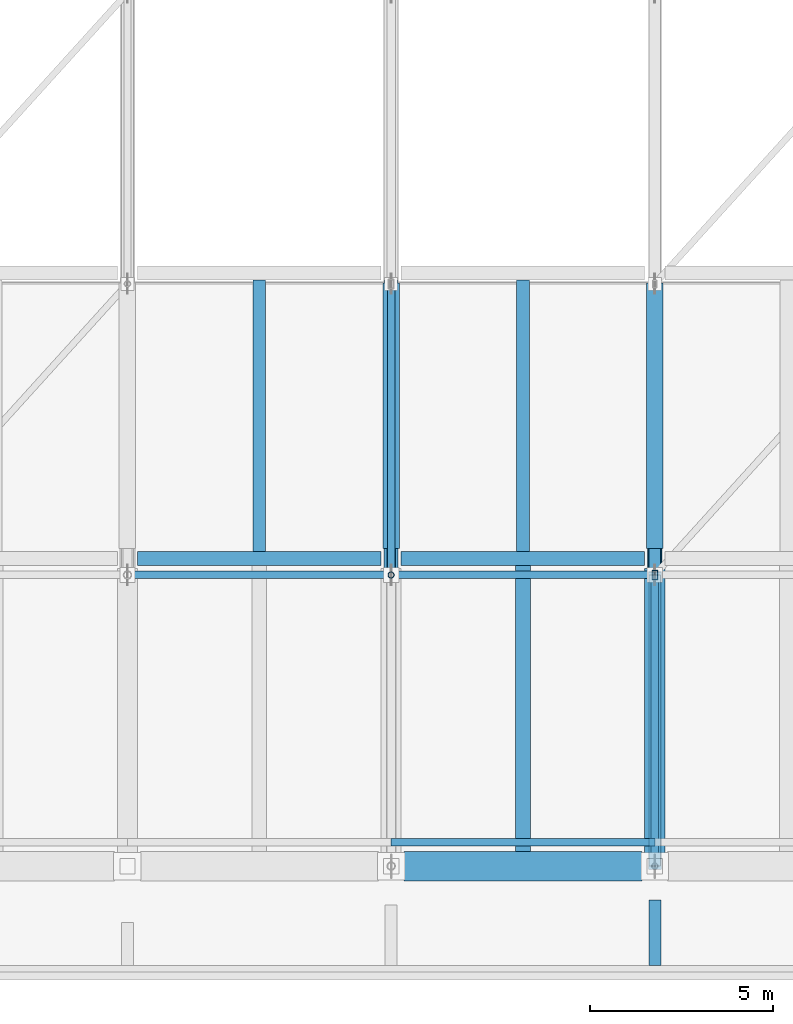
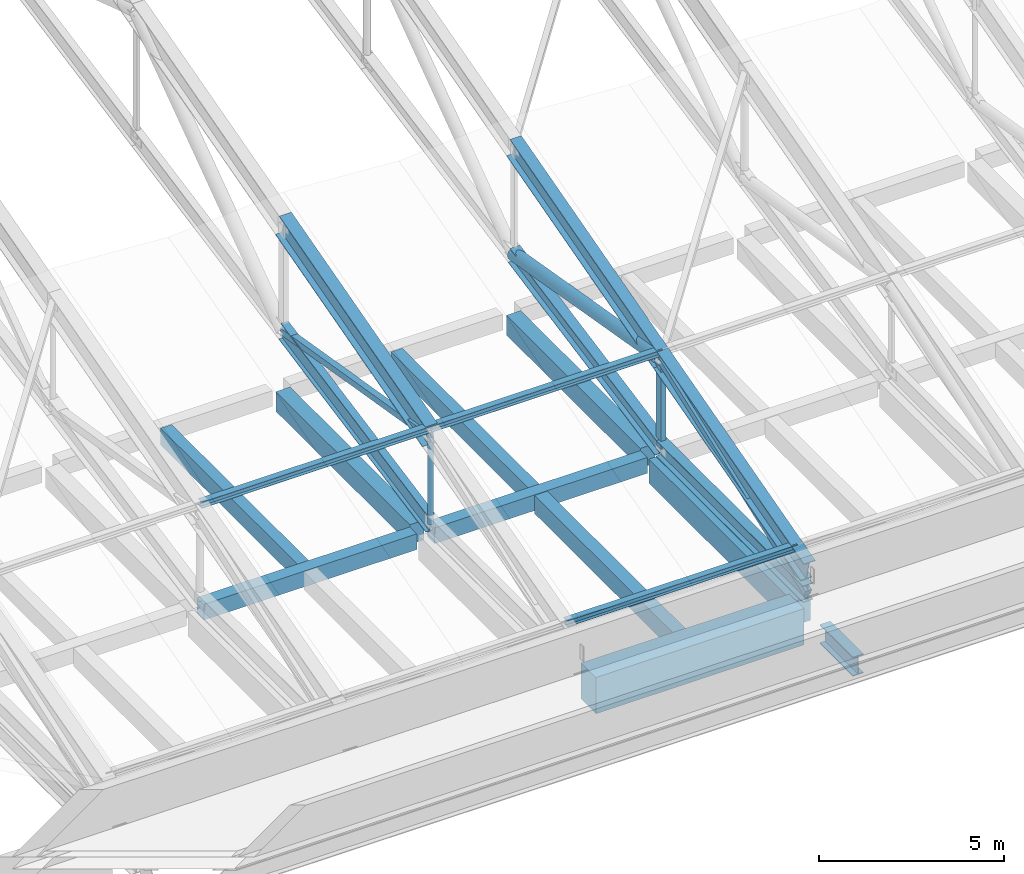
# One storey, part 3 of 53: 16 beams, 8 members.
"""IFC4 building model written with IfcOpenShell, lengths in metres."""

from ifc_helpers import new_model, si_unit, direction, frame, origin, origin_2d, place, context, subcontext, project, spatial, rectangle, hollow_rectangle, hollow_circle, i_section, extrude, material, material_profile, profile_set, type_object, element, save


model = new_model("IFC4")

# Units and contexts
model_context = context("Model", 3, precision=1e-05, world=origin(), true_north=direction((0.0, 1.0)))
body_context = subcontext(model_context, "Body", "Model", "MODEL_VIEW")
ifc_project = project(units=[si_unit("LENGTHUNIT", "METRE"), si_unit("AREAUNIT", "SQUARE_METRE"), si_unit("VOLUMEUNIT", "CUBIC_METRE"), si_unit("PLANEANGLEUNIT", "RADIAN"), si_unit("MASSUNIT", "GRAM", prefix="KILO")], contexts=[model_context])

# Site, building, storey
site_placement = place(None, origin())
site = spatial("IfcSite", under=ifc_project, at=site_placement, CompositionType="ELEMENT")
building_placement = place(site_placement, origin())
building = spatial("IfcBuilding", under=site, at=building_placement, Name="Pellamere Symphony Hall", CompositionType="ELEMENT")
storey_placement = place(building_placement, frame((0.0, 0.0, 24.0)))
storey = spatial("IfcBuildingStorey", under=building, at=storey_placement, Name="L05", CompositionType="ELEMENT", Elevation=24.0)

# Beams
ifc_material_1 = material(Name="Concrete 50 MPa", Category="concrete")
ifc_material_profile_1 = material_profile(ifc_material_1, rectangle(XDim=0.800048828125, YDim=1.199951171875, at=origin_2d()), Name="RC 800x1200")
ifc_profile_set_1 = profile_set([ifc_material_profile_1], Name="Concrete 50 MPa")
beam_type_1 = type_object("IfcBeamType", Name="RC CB-01 800x1200", PredefinedType="BEAM", material=ifc_profile_set_1)
beam_1_placement = place(storey_placement, frame((73.550048828125, 30.0, -0.60009765625), z_axis=(1.0, 0.0, 0.0), x_axis=(0.0, 1.0, 0.0)))
element("IfcBeam", 1, at=beam_1_placement, inside=storey, type_object=beam_type_1, Name="Girder CB-01-X1998 (L05)", PredefinedType="BEAM", context=body_context, shape_type="SweptSolid", body=[
    extrude(rectangle(XDim=0.800048828125, YDim=1.199951171875, at=origin_2d()), origin(), (0.0, 0.0, 1.0), 6.5),
])
ifc_material_2 = material(Name="Concrete 40 MPa", Category="concrete")
ifc_material_profile_2 = material_profile(ifc_material_2, rectangle(XDim=0.550048828125, YDim=0.800048828125, at=origin_2d()), Name="RC 550x800")
ifc_profile_set_2 = profile_set([ifc_material_profile_2], Name="Concrete 40 MPa")
beam_type_2 = type_object("IfcBeamType", Name="RC CB-05 550x800", PredefinedType="BEAM", material=ifc_profile_set_2)
beam_2_placement = place(storey_placement, frame((80.39990234375, 30.35009765625, -0.659912109375), z_axis=(0.0, 1.0, 0.0), x_axis=(-1.0, 0.0, 0.0)))
element("IfcBeam", 2, at=beam_2_placement, inside=storey, type_object=beam_type_2, Name="Girder CB-05-Y2090 (L05)", PredefinedType="BEAM", context=body_context, shape_type="SweptSolid", body=[
    extrude(rectangle(XDim=0.550048828125, YDim=0.800048828125, at=origin_2d()), origin(), (0.0, 0.0, 1.0), 7.77490234375),
])
ifc_material_profile_3 = material_profile(ifc_material_2, rectangle(XDim=0.449951171875, YDim=0.64990234375, at=origin_2d()), Name="RC 450x650")
ifc_profile_set_3 = profile_set([ifc_material_profile_3], Name="Concrete 40 MPa")
beam_type_3 = type_object("IfcBeamType", Name="RC CB-08 450x650", PredefinedType="BEAM", material=ifc_profile_set_3)
for number, where, z_axis, x_axis, name in (
    (3, (73.199951171875, 38.675048828125, -0.5849609375), (0.0, 1.0, 0.0), (-1.0, 0.0, 0.0), "Girder CB-08-Y2089 (L05)"),
    (4, (80.39990234375, 38.675048828125, -0.5849609375), (0.0, 1.0, 0.0), (-1.0, 0.0, 0.0), "Girder CB-08-Y2091 (L05)"),
):
    element("IfcBeam", number, at=place(storey_placement, frame(where, z_axis=z_axis, x_axis=x_axis)), inside=storey, type_object=beam_type_3, Name=name, PredefinedType="BEAM", context=body_context, shape_type="SweptSolid", body=[
        extrude(rectangle(XDim=0.449951171875, YDim=0.64990234375, at=origin_2d()), origin(), (0.0, 0.0, 1.0), 7.25),
    ])
ifc_material_profile_4 = material_profile(ifc_material_2, rectangle(XDim=0.39990234375, YDim=0.60009765625, at=origin_2d()), Name="RC 400x600")
ifc_profile_set_4 = profile_set([ifc_material_profile_4], Name="Concrete 40 MPa")
beam_type_4 = type_object("IfcBeamType", Name="RC CB-09 400x600", PredefinedType="BEAM", material=ifc_profile_set_4)
beam_3_placement = place(storey_placement, frame((76.800048828125, 30.39990234375, -0.574951171875), z_axis=(0.0, 1.0, 0.0), x_axis=(-1.0, 0.0, 0.0)))
element("IfcBeam", 5, at=beam_3_placement, inside=storey, type_object=beam_type_4, Name="Secondary Floor Beam CB-09-M0904 (L05)", PredefinedType="BEAM", context=body_context, shape_type="SweptSolid", body=[
    extrude(rectangle(XDim=0.39990234375, YDim=0.60009765625, at=origin_2d()), origin(), (0.0, 0.0, 1.0), 7.81005859375),
])
ifc_material_3 = material(Name="Concrete 35 MPa", Category="concrete")
ifc_material_profile_5 = material_profile(ifc_material_3, rectangle(XDim=0.35009765625, YDim=0.550048828125, at=origin_2d()), Name="RC 350x550")
ifc_profile_set_5 = profile_set([ifc_material_profile_5], Name="Concrete 35 MPa")
beam_type_5 = type_object("IfcBeamType", Name="RC CB-10 350x550", PredefinedType="BEAM", material=ifc_profile_set_5)
for number, where, z_axis, x_axis, name in (
    (6, (69.60009765625, 38.590087890625, -0.550048828125), (0.0, 1.0, 0.0), (-1.0, 0.0, 0.0), "Secondary Floor Beam CB-10-M0805 (L05)"),
    (7, (76.800048828125, 38.590087890625, -0.550048828125), (0.0, 1.0, 0.0), (-1.0, 0.0, 0.0), "Secondary Floor Beam CB-10-M0905 (L05)"),
):
    element("IfcBeam", number, at=place(storey_placement, frame(where, z_axis=z_axis, x_axis=x_axis)), inside=storey, type_object=beam_type_5, Name=name, PredefinedType="BEAM", context=body_context, shape_type="SweptSolid", body=[
        extrude(rectangle(XDim=0.35009765625, YDim=0.550048828125, at=origin_2d()), origin(), (0.0, 0.0, 1.0), 7.419921875),
    ])
ifc_material_profile_6 = material_profile(ifc_material_2, rectangle(XDim=0.3798828125, YDim=0.52001953125, at=origin_2d()), Name="RC 380x520")
ifc_profile_set_6 = profile_set([ifc_material_profile_6], Name="Concrete 40 MPa")
beam_type_6 = type_object("IfcBeamType", Name="RC CB-21 380x520", PredefinedType="BEAM", material=ifc_profile_set_6)
beam_4_placement = place(storey_placement, frame((66.27490234375, 38.39990234375, -0.52001953125), z_axis=(1.0, 0.0, 0.0), x_axis=(0.0, 1.0, 0.0)))
element("IfcBeam", 8, at=beam_4_placement, inside=storey, type_object=beam_type_6, Name="Girder CB-21-X2012 (L05)", PredefinedType="BEAM", context=body_context, shape_type="SweptSolid", body=[
    extrude(rectangle(XDim=0.3798828125, YDim=0.52001953125, at=origin_2d()), origin(), (0.0, 0.0, 1.0), 6.650146484375),
])
beam_5_placement = place(storey_placement, frame((73.47509765625, 38.39990234375, -0.52001953125), z_axis=(1.0, 0.0, 0.0), x_axis=(0.0, 1.0, 0.0)))
element("IfcBeam", 9, at=beam_5_placement, inside=storey, type_object=beam_type_6, Name="Girder CB-21-X2013 (L05)", PredefinedType="BEAM", context=body_context, shape_type="SweptSolid", body=[
    extrude(rectangle(XDim=0.3798828125, YDim=0.52001953125, at=origin_2d()), origin(), (0.0, 0.0, 1.0), 6.64990234375),
])
ifc_material_4 = material(Name="Steel CSA G40.21 350W", Category="steel")
ifc_material_profile_7 = material_profile(ifc_material_4, i_section(OverallWidth=0.381103515625, OverallDepth=0.77294921875, WebThickness=0.0166015625, FlangeThickness=0.027587890625, at=origin_2d()), Name="W760X257")
ifc_profile_set_7 = profile_set([ifc_material_profile_7], Name="Steel CSA G40.21 350W")
beam_type_7 = type_object("IfcBeamType", Name="Steel Beam SB-05 W760X257", PredefinedType="BEAM", material=ifc_profile_set_7)
beam_6_placement = place(storey_placement, frame((73.199951171875, 37.949951171875, 3.03857421875), z_axis=(0.0, 0.964090435702, 0.265574154969), x_axis=(-1.0, 0.0, 0.0)))
element("IfcBeam", 10, at=beam_6_placement, inside=storey, type_object=beam_type_7, Name="Roof Truss TR-03 Top Chord 2", PredefinedType="BEAM", context=body_context, shape_type="SweptSolid", body=[
    extrude(i_section(OverallWidth=0.381103515625, OverallDepth=0.77294921875, WebThickness=0.0166015625, FlangeThickness=0.027587890625, at=origin_2d()), origin(), (0.0, 0.0, 1.0), 8.24609375),
])
ifc_material_profile_8 = material_profile(ifc_material_4, i_section(OverallWidth=0.35498046875, OverallDepth=0.695068359375, WebThickness=0.015380859375, FlangeThickness=0.02490234375, at=origin_2d()), Name="W690X217")
ifc_profile_set_8 = profile_set([ifc_material_profile_8], Name="Steel CSA G40.21 350W")
beam_type_8 = type_object("IfcBeamType", Name="Steel Beam SB-07 W690X217", PredefinedType="BEAM", material=ifc_profile_set_8)
for number, where, z_axis, x_axis, name in (
    (11, (80.39990234375, 30.0, 0.887451171875), (0.0, 0.964090435702, 0.265574154969), (-1.0, 0.0, 0.0), "Roof Truss TR-04 Top Chord 1"),
    (12, (80.39990234375, 37.949951171875, 3.077392578125), (0.0, 0.964082854885, 0.265601673408), (-1.0, 0.0, 0.0), "Roof Truss TR-04 Top Chord 2"),
):
    element("IfcBeam", number, at=place(storey_placement, frame(where, z_axis=z_axis, x_axis=x_axis)), inside=storey, type_object=beam_type_8, Name=name, PredefinedType="BEAM", context=body_context, shape_type="SweptSolid", body=[
        extrude(i_section(OverallWidth=0.35498046875, OverallDepth=0.695068359375, WebThickness=0.015380859375, FlangeThickness=0.02490234375, at=origin_2d()), origin(), (0.0, 0.0, 1.0), 8.24609375),
    ])
ifc_material_profile_9 = material_profile(ifc_material_4, i_section(OverallWidth=0.3291015625, OverallDepth=0.635009765625, WebThickness=0.017822265625, FlangeThickness=0.031005859375, at=origin_2d()), Name="W610X241")
ifc_profile_set_9 = profile_set([ifc_material_profile_9], Name="Steel CSA G40.21 350W")
beam_type_9 = type_object("IfcBeamType", Name="Steel Beam SB-09 W610X241", PredefinedType="BEAM", material=ifc_profile_set_9)
beam_7_placement = place(storey_placement, frame((80.39990234375, 27.284912109375, -0.5849609375), z_axis=(0.0, 1.0, 0.0), x_axis=(-1.0, 0.0, 0.0)))
element("IfcBeam", 13, at=beam_7_placement, inside=storey, type_object=beam_type_9, Name="Winter-Garden Canopy Outrigger 04", PredefinedType="BEAM", context=body_context, shape_type="SweptSolid", body=[
    extrude(i_section(OverallWidth=0.3291015625, OverallDepth=0.635009765625, WebThickness=0.017822265625, FlangeThickness=0.031005859375, at=origin_2d()), origin(), (0.0, 0.0, 1.0), 1.7880859375),
])
ifc_material_profile_10 = material_profile(ifc_material_4, i_section(OverallWidth=0.22998046875, OverallDepth=0.616943359375, WebThickness=0.01318359375, FlangeThickness=0.022216796875, at=origin_2d()), Name="W610X140")
ifc_profile_set_10 = profile_set([ifc_material_profile_10], Name="Steel CSA G40.21 350W")
beam_type_10 = type_object("IfcBeamType", Name="Steel Beam SB-11 W610X140", PredefinedType="BEAM", material=ifc_profile_set_10)
beam_8_placement = place(storey_placement, frame((73.199951171875, 37.949951171875, 0.159912109375), z_axis=(0.0, 0.981591064498, 0.19099471746), x_axis=(-1.0, 0.0, 0.0)))
element("IfcBeam", 14, at=beam_8_placement, inside=storey, type_object=beam_type_10, Name="Roof Truss TR-03 Bottom Chord 2", PredefinedType="BEAM", context=body_context, shape_type="SweptSolid", body=[
    extrude(i_section(OverallWidth=0.22998046875, OverallDepth=0.616943359375, WebThickness=0.01318359375, FlangeThickness=0.022216796875, at=origin_2d()), origin(), (0.0, 0.0, 1.0), 8.09912109375),
])
ifc_material_profile_11 = material_profile(ifc_material_4, i_section(OverallWidth=0.31201171875, OverallDepth=0.54296875, WebThickness=0.0126953125, FlangeThickness=0.020263671875, at=origin_2d()), Name="W530X150")
ifc_profile_set_11 = profile_set([ifc_material_profile_11], Name="Steel CSA G40.21 350W")
beam_type_11 = type_object("IfcBeamType", Name="Steel Beam SB-13 W530X150", PredefinedType="BEAM", material=ifc_profile_set_11)
beam_9_placement = place(storey_placement, frame((80.39990234375, 30.0, 0.159912109375), z_axis=(0.0, 1.0, 0.0), x_axis=(-1.0, 0.0, 0.0)))
element("IfcBeam", 15, at=beam_9_placement, inside=storey, type_object=beam_type_11, Name="Roof Truss TR-04 Bottom Chord 1", PredefinedType="BEAM", context=body_context, shape_type="SweptSolid", body=[
    extrude(i_section(OverallWidth=0.31201171875, OverallDepth=0.54296875, WebThickness=0.0126953125, FlangeThickness=0.020263671875, at=origin_2d()), origin(), (0.0, 0.0, 1.0), 7.949951171875),
])
beam_10_placement = place(storey_placement, frame((80.39990234375, 37.949951171875, 0.159912109375), z_axis=(0.0, 0.981591064498, 0.19099471746), x_axis=(-1.0, 0.0, 0.0)))
element("IfcBeam", 16, at=beam_10_placement, inside=storey, type_object=beam_type_11, Name="Roof Truss TR-04 Bottom Chord 2", PredefinedType="BEAM", context=body_context, shape_type="SweptSolid", body=[
    extrude(i_section(OverallWidth=0.31201171875, OverallDepth=0.54296875, WebThickness=0.0126953125, FlangeThickness=0.020263671875, at=origin_2d()), origin(), (0.0, 0.0, 1.0), 8.09912109375),
])

# Members
ifc_material_profile_12 = material_profile(ifc_material_4, hollow_rectangle(XDim=0.203125, YDim=0.203125, WallThickness=0.010986328125, at=origin_2d()), Name="HSS203X203X11")
ifc_profile_set_12 = profile_set([ifc_material_profile_12], Name="Steel CSA G40.21 350W")
member_type_1 = type_object("IfcMemberType", Name="Steel Member SM-04 HSS203X203X11", PredefinedType="BRACE", material=ifc_profile_set_12)
member_1_placement = place(storey_placement, frame((73.199951171875, 37.949951171875, 3.03857421875), z_axis=(0.0, 0.986256879074, -0.165219152884), x_axis=(-1.0, 0.0, 0.0)))
element("IfcMember", 17, at=member_1_placement, inside=storey, type_object=member_type_1, Name="Roof Truss TR-03 Web Diagonal 2", PredefinedType="BRACE", context=body_context, shape_type="SweptSolid", body=[
    extrude(hollow_rectangle(XDim=0.203125, YDim=0.203125, WallThickness=0.010986328125, at=origin_2d()), origin(), (0.0, 0.0, 1.0), 8.060791015625),
])
member_2_placement = place(storey_placement, frame((80.39990234375, 30.0, 0.159912109375), z_axis=(0.0, 0.938780924497, 0.344514696058), x_axis=(-1.0, 0.0, 0.0)))
element("IfcMember", 18, at=member_2_placement, inside=storey, type_object=member_type_1, Name="Roof Truss TR-04 Web Diagonal 1", PredefinedType="BRACE", context=body_context, shape_type="SweptSolid", body=[
    extrude(hollow_rectangle(XDim=0.203125, YDim=0.203125, WallThickness=0.010986328125, at=origin_2d()), origin(), (0.0, 0.0, 1.0), 8.46826171875),
])
ifc_material_profile_13 = material_profile(ifc_material_4, hollow_rectangle(XDim=0.15234375, YDim=0.25390625, WallThickness=0.010986328125, at=origin_2d()), Name="HSS254X152X11")
ifc_profile_set_13 = profile_set([ifc_material_profile_13], Name="Steel CSA G40.21 350W")
member_type_2 = type_object("IfcMemberType", Name="Steel Member SM-07 HSS254X152X11", PredefinedType="STRUT", material=ifc_profile_set_13)
member_3_placement = place(storey_placement, frame((80.39990234375, 37.949951171875, 0.159912109375), z_axis=(0.0, 0.0, 1.0), x_axis=(1.0, 0.0, 0.0)))
element("IfcMember", 19, at=member_3_placement, inside=storey, type_object=member_type_2, Name="Roof Truss TR-04 Vertical Post 1", PredefinedType="STRUT", context=body_context, shape_type="SweptSolid", body=[
    extrude(hollow_rectangle(XDim=0.15234375, YDim=0.25390625, WallThickness=0.010986328125, at=origin_2d()), origin(), (0.0, 0.0, 1.0), 2.91748046875),
])
ifc_material_profile_14 = material_profile(ifc_material_4, hollow_circle(Radius=0.203125, WallThickness=0.0126953125, at=origin_2d()), Name="HSS406X13")
ifc_profile_set_14 = profile_set([ifc_material_profile_14], Name="Steel CSA G40.21 350W")
member_type_3 = type_object("IfcMemberType", Name="Steel Member SM-09 HSS406X13", PredefinedType="STRUT", material=ifc_profile_set_14)
member_4_placement = place(storey_placement, frame((80.39990234375, 37.949951171875, 3.077392578125), z_axis=(0.0, 0.985461688272, -0.169897795595), x_axis=(-1.0, 0.0, 0.0)))
element("IfcMember", 20, at=member_4_placement, inside=storey, type_object=member_type_3, Name="Roof Truss TR-04 Web Diagonal 2", PredefinedType="STRUT", context=body_context, shape_type="SweptSolid", body=[
    extrude(hollow_circle(Radius=0.203125, WallThickness=0.0126953125, at=origin_2d()), origin(), (0.0, 0.0, 1.0), 8.067138671875),
])
ifc_material_profile_15 = material_profile(ifc_material_4, hollow_circle(Radius=0.084228515625, WallThickness=0.008056640625, at=origin_2d()), Name="HSS168X8")
ifc_profile_set_15 = profile_set([ifc_material_profile_15], Name="Steel CSA G40.21 350W")
member_type_4 = type_object("IfcMemberType", Name="Steel Member SM-14 HSS168X8", PredefinedType="COLLAR", material=ifc_profile_set_15)
member_5_placement = place(storey_placement, frame((73.199951171875, 37.949951171875, 0.159912109375), z_axis=(0.0, 0.0, 1.0), x_axis=(1.0, 0.0, 0.0)))
element("IfcMember", 21, at=member_5_placement, inside=storey, type_object=member_type_4, Name="Roof Truss TR-03 Vertical Post 1", PredefinedType="COLLAR", context=body_context, shape_type="SweptSolid", body=[
    extrude(hollow_circle(Radius=0.084228515625, WallThickness=0.008056640625, at=origin_2d()), origin(), (0.0, 0.0, 1.0), 2.878662109375),
])
ifc_material_profile_16 = material_profile(ifc_material_4, i_section(OverallWidth=0.2041015625, OverallDepth=0.2060546875, WebThickness=0.0078125, FlangeThickness=0.0126953125, at=origin_2d()), Name="W200X52")
ifc_profile_set_16 = profile_set([ifc_material_profile_16], Name="Steel CSA G40.21 350W")
member_type_5 = type_object("IfcMemberType", Name="Steel Member SM-15 W200X52", PredefinedType="PURLIN", material=ifc_profile_set_16)
for number, where, z_axis, x_axis, name in (
    (22, (66.0, 37.949951171875, 3.322021484375), (1.0, 0.0, 0.0), (0.0, 1.0, 0.0), "Folded Roof Purlin 2.1"),
    (23, (73.199951171875, 30.64990234375, 1.31103515625), (1.0, 0.0, 0.0), (0.0, 1.0, 0.0), "Folded Roof Eave Purlin 3.0"),
    (24, (73.199951171875, 37.949951171875, 3.322021484375), (1.0, 0.0, 0.0), (0.0, 1.0, 0.0), "Folded Roof Purlin 3.1"),
):
    element("IfcMember", number, at=place(storey_placement, frame(where, z_axis=z_axis, x_axis=x_axis)), inside=storey, type_object=member_type_5, Name=name, PredefinedType="PURLIN", context=body_context, shape_type="SweptSolid", body=[
        extrude(i_section(OverallWidth=0.2041015625, OverallDepth=0.2060546875, WebThickness=0.0078125, FlangeThickness=0.0126953125, at=origin_2d()), origin(), (0.0, 0.0, 1.0), 7.199951171875),
    ])

save(model, "model.ifc")
